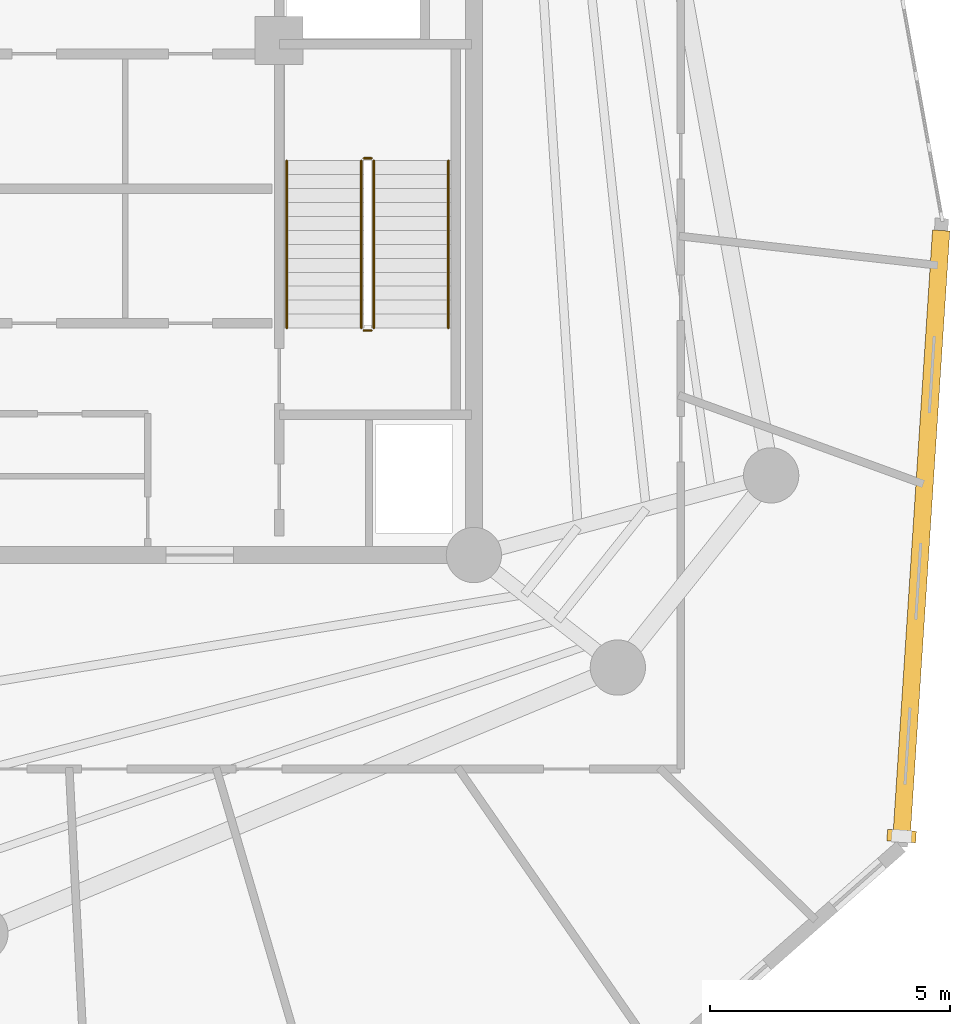
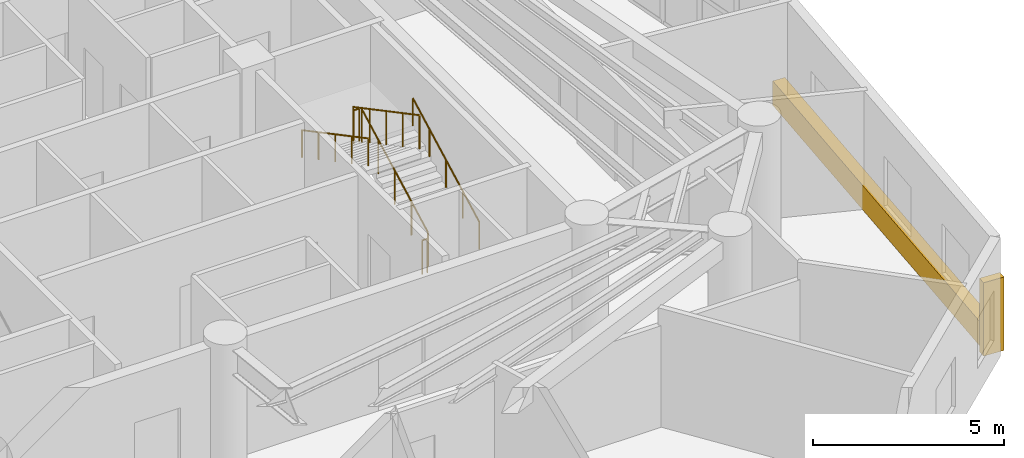
# One storey, part 11 of 12: 6 railings, 1 covering, 1 shading device.
"""IFC4 building model written with IfcOpenShell, lengths in metres."""

import ifcopenshell
import ifcopenshell.guid

model = None  # the IFC model being written
_history = None  # IfcOwnerHistory: only IFC2X3 demands one
_inside = {}  # id of a spatial element -> (the spatial element, [elements in it])
_under = {}  # id of a project, library or spatial element -> (it, [spatial elements below it])
_declared = {}  # id of a project -> (the project, [libraries it declares])
_typed = {}  # id of a type object -> (the type object, [elements of that type])
_made_of = {}  # id of a material, layer set ... -> (it, [elements and type objects made of it])


def new_model(schema):
    """Start an empty IFC model of exactly this schema.

    Asked for "IFC4X3", IfcOpenShell would pick the latest addendum, in which some entities
    have other attributes; the version numbers below select the first issue.
    IFC2X3 requires an IfcOwnerHistory on every rooted entity: one is made here for all.
    """
    global model, _history
    if schema == "IFC4X3":
        model = ifcopenshell.file(schema_version=(4, 3, 0, 0))
    else:
        model = ifcopenshell.file(schema=schema)
    _inside.clear()
    _under.clear()
    _declared.clear()
    _typed.clear()
    _made_of.clear()
    _history = None
    if model.schema == "IFC2X3":
        org = make("IfcOrganization", Name="unknown")
        user = make(
            "IfcPersonAndOrganization",
            ThePerson=make("IfcPerson", FamilyName="unknown"),
            TheOrganization=org,
        )
        app = make(
            "IfcApplication",
            ApplicationDeveloper=org,
            Version="unknown",
            ApplicationFullName="unknown",
            ApplicationIdentifier="unknown",
        )
        _history = make(
            "IfcOwnerHistory",
            OwningUser=user,
            OwningApplication=app,
            ChangeAction="ADDED",
            CreationDate=0,
        )
    return model


def make(cls, **values):
    """One entity of the class cls with the attributes given. An attribute that is None is left unset."""
    return model.create_entity(
        cls, **{name: value for name, value in values.items() if value is not None}
    )


def rooted(cls, **values):
    """An entity with a GlobalId (a new one), such as an element, a storey or a relation."""
    return make(cls, GlobalId=ifcopenshell.guid.new(), OwnerHistory=_history, **values)


def si_unit(unit_type, name, prefix=None):
    """IfcSIUnit, for example si_unit("LENGTHUNIT", "METRE", prefix="MILLI")."""
    return make("IfcSIUnit", UnitType=unit_type, Prefix=prefix, Name=name)


def assignment(units):
    """IfcUnitAssignment: the units of a project."""
    return None if units is None else make("IfcUnitAssignment", Units=units)


def point(xyz):
    """IfcCartesianPoint."""
    return None if xyz is None else make("IfcCartesianPoint", Coordinates=xyz)


def direction(xyz):
    """IfcDirection."""
    return None if xyz is None else make("IfcDirection", DirectionRatios=xyz)


def frame(location, z_axis=None, x_axis=None):
    """IfcAxis2Placement3D, a coordinate frame: its origin and axes. An axis left out is left unset."""
    return make(
        "IfcAxis2Placement3D",
        Location=point(location),
        Axis=direction(z_axis),
        RefDirection=direction(x_axis),
    )


def frame_2d(location, x_axis=None):
    """IfcAxis2Placement2D, a coordinate frame in the plane: its origin and x axis."""
    return make(
        "IfcAxis2Placement2D", Location=point(location), RefDirection=direction(x_axis)
    )


def origin():
    """The frame at (0, 0, 0) with its axes left unset."""
    return frame((0.0, 0.0, 0.0))


def origin_with_axes():
    """The frame at (0, 0, 0) with the z axis (0, 0, 1) and the x axis (1, 0, 0) written out."""
    return frame((0.0, 0.0, 0.0), z_axis=(0.0, 0.0, 1.0), x_axis=(1.0, 0.0, 0.0))


def origin_2d():
    """The frame at (0, 0) in the plane with its x axis left unset."""
    return frame_2d((0.0, 0.0))


def place(relative_to, where):
    """IfcLocalPlacement: puts the frame where relative to a parent placement (None: the world)."""
    return make(
        "IfcLocalPlacement", PlacementRelTo=relative_to, RelativePlacement=where
    )


def context(
    kind, dimensions, precision=None, world=None, true_north=None, identifier=None
):
    """IfcGeometricRepresentationContext, for example the 3D "Model" context."""
    return make(
        "IfcGeometricRepresentationContext",
        ContextIdentifier=identifier,
        ContextType=kind,
        CoordinateSpaceDimension=dimensions,
        Precision=precision,
        WorldCoordinateSystem=world,
        TrueNorth=true_north,
    )


def subcontext(parent, identifier, kind, view, scale=None):
    """IfcGeometricRepresentationSubContext, for example "Body" below "Model"."""
    return make(
        "IfcGeometricRepresentationSubContext",
        ContextIdentifier=identifier,
        ContextType=kind,
        ParentContext=parent,
        TargetScale=scale,
        TargetView=view,
    )


def project(units=None, contexts=None):
    """IfcProject with its units and contexts."""
    return rooted(
        "IfcProject",
        Name="project",
        RepresentationContexts=contexts,
        UnitsInContext=assignment(units),
    )


def spatial(cls, under=None, at=None, **own):
    """A site, building, storey or space (cls), placed at a placement, below another one or the project."""
    s = rooted(cls, ObjectPlacement=at, **own)
    if under is not None:
        _under.setdefault(under.id(), (under, []))[1].append(s)
    return s


def profile(cls, at=None, kind="AREA", **sizes):
    """A parametric profile (cls). Its sizes go by their IFC names, for example OverallWidth=200.0."""
    return make(cls, ProfileType=kind, Position=at, **sizes)


def rectangle(**sizes):
    """IfcRectangleProfileDef."""
    return profile("IfcRectangleProfileDef", **sizes)


def circle(**sizes):
    """IfcCircleProfileDef."""
    return profile("IfcCircleProfileDef", **sizes)


def extrude(swept, where, along, depth):
    """IfcExtrudedAreaSolid: the profile swept, set in the frame where, extruded along a direction by depth."""
    return make(
        "IfcExtrudedAreaSolid",
        SweptArea=swept,
        Position=where,
        ExtrudedDirection=direction(along),
        Depth=depth,
    )


def shape(context_of_items, identifier, shape_type, items):
    """IfcShapeRepresentation: the items that make up one representation, for example the "Body"."""
    return make(
        "IfcShapeRepresentation",
        ContextOfItems=context_of_items,
        RepresentationIdentifier=identifier,
        RepresentationType=shape_type,
        Items=items,
    )


def source(mapping_origin, context_of_items, identifier, shape_type, items):
    """IfcRepresentationMap: a shape defined once, which mapped items show again and again."""
    return make(
        "IfcRepresentationMap",
        MappingOrigin=mapping_origin,
        MappedRepresentation=shape(context_of_items, identifier, shape_type, items),
    )


def transform(
    local_origin,
    x_axis=None,
    y_axis=None,
    z_axis=None,
    scale=None,
    scale2=None,
    scale3=None,
    uniform=True,
):
    """IfcCartesianTransformationOperator3D, or its non-uniform kind. x_axis, y_axis, z_axis: its Axis1, 2, 3."""
    if uniform:
        return make(
            "IfcCartesianTransformationOperator3D",
            Axis1=direction(x_axis),
            Axis2=direction(y_axis),
            LocalOrigin=point(local_origin),
            Scale=scale,
            Axis3=direction(z_axis),
        )
    return make(
        "IfcCartesianTransformationOperator3DnonUniform",
        Axis1=direction(x_axis),
        Axis2=direction(y_axis),
        LocalOrigin=point(local_origin),
        Scale=scale,
        Axis3=direction(z_axis),
        Scale2=scale2,
        Scale3=scale3,
    )


def mapped(mapping_source, mapping_target):
    """IfcMappedItem: shows the shape of a source again, moved by a transform."""
    return make(
        "IfcMappedItem", MappingSource=mapping_source, MappingTarget=mapping_target
    )


def material(Name=None, Category=None):
    """IfcMaterial."""
    return make("IfcMaterial", Name=Name, Category=Category)


def layer(
    of_material, thickness, ventilated=None, Name=None, Category=None, Priority=None
):
    """IfcMaterialLayer: one layer of a wall or slab, of a material (None: an air gap)."""
    return make(
        "IfcMaterialLayer",
        Material=of_material,
        LayerThickness=thickness,
        IsVentilated=ventilated,
        Name=Name,
        Category=Category,
        Priority=Priority,
    )


def layer_set(layers, Name=None):
    """IfcMaterialLayerSet."""
    return make("IfcMaterialLayerSet", MaterialLayers=layers, LayerSetName=Name)


def made_of(thing, what):
    """Note that an element or type object is made of a material, layer set ...; save() writes the relation."""
    if what is not None:
        _made_of.setdefault(what.id(), (what, []))[1].append(thing)
    return thing


def type_object(cls, material=None, **own):
    """A type object (cls), such as IfcWallType, which elements share."""
    return made_of(rooted(cls, **own), material)


def element(
    cls,
    number,
    at=None,
    inside=None,
    cuts=None,
    type_object=None,
    material=None,
    context=None,
    identifier="Body",
    shape_type=None,
    held_by="IfcProductDefinitionShape",
    body=None,
    shapes=None,
    **own,
):
    """One element of the class cls, such as IfcWall. Its Tag is "e" and its number.

    at: its placement. inside: the storey or other place that contains it. cuts: it is an
    opening in that element (IfcRelVoidsElement). A single representation is given by context,
    identifier, shape_type and body (its items); several are given by shapes. held_by: the class
    of the entity that holds the representations. save() writes the other relations.
    """
    e = rooted(cls, Tag="e%d" % number, ObjectPlacement=at, **own)
    if body is not None:
        shapes = [shape(context, identifier, shape_type, body)]
    if shapes is not None:
        e.Representation = make(held_by, Representations=shapes)
    if inside is not None:
        _inside.setdefault(inside.id(), (inside, []))[1].append(e)
    if cuts is not None:
        rooted(
            "IfcRelVoidsElement", RelatingBuildingElement=cuts, RelatedOpeningElement=e
        )
    if type_object is not None:
        _typed.setdefault(type_object.id(), (type_object, []))[1].append(e)
    return made_of(e, material)


def aggregate(whole, parts):
    """IfcRelAggregates: a whole, such as a stair, and the parts it consists of."""
    return rooted("IfcRelAggregates", RelatingObject=whole, RelatedObjects=parts)


def save(model, path):
    """Write the relations noted so far, then the file.

    IfcRelAggregates (storeys below a building ...), IfcRelContainedInSpatialStructure (elements
    in a storey), IfcRelDefinesByType, IfcRelAssociatesMaterial and IfcRelDeclares: one each for
    every whole, place, type object, material and project.
    """
    for whole, parts in _under.values():
        aggregate(whole, parts)
    for where, things in _inside.values():
        rooted(
            "IfcRelContainedInSpatialStructure",
            RelatedElements=things,
            RelatingStructure=where,
        )
    for kind, things in _typed.values():
        rooted("IfcRelDefinesByType", RelatedObjects=things, RelatingType=kind)
    for what, things in _made_of.values():
        rooted("IfcRelAssociatesMaterial", RelatedObjects=things, RelatingMaterial=what)
    for by, libraries in _declared.values():
        rooted("IfcRelDeclares", RelatingContext=by, RelatedDefinitions=libraries)
    model.write(path)


model = new_model("IFC4")

# Units and contexts
model_context = context("Model", 3, precision=1e-05, world=origin(), true_north=direction((0.0, 1.0)))
body_context = subcontext(model_context, "Body", "Model", "MODEL_VIEW")
ifc_project = project(units=[si_unit("LENGTHUNIT", "METRE"), si_unit("AREAUNIT", "SQUARE_METRE"), si_unit("VOLUMEUNIT", "CUBIC_METRE"), si_unit("PLANEANGLEUNIT", "RADIAN"), si_unit("MASSUNIT", "GRAM", prefix="KILO")], contexts=[model_context])

# Site, building, storey
site_placement = place(None, origin())
site = spatial("IfcSite", under=ifc_project, at=site_placement, CompositionType="ELEMENT")
building_placement = place(site_placement, origin())
building = spatial("IfcBuilding", under=site, at=building_placement, Name="Karkom Vertical University and Central Library", CompositionType="ELEMENT")
storey_placement = place(building_placement, frame((0.0, 0.0, 212.89990234375)))
storey = spatial("IfcBuildingStorey", under=building, at=storey_placement, Name="L62", CompositionType="ELEMENT", Elevation=212.89990234375)

# Railings
ifc_material_1 = material(Name="Painted galvanised steel balustrade", Category="steel")
ifc_layer_1 = layer(ifc_material_1, 0.06005859375)
ifc_layer_set_1 = layer_set([ifc_layer_1], Name="Painted galvanised steel balustrade")
railing_type_1 = type_object("IfcRailingType", Name="INT-RL-GUARD1100", PredefinedType="GUARDRAIL", material=ifc_layer_set_1)
railing_1_placement = place(storey_placement, frame((35.419921875, 23.02001953125, 0.154052734375)))
element("IfcRailing", 1, at=railing_1_placement, inside=storey, type_object=railing_type_1, Name="Level 62 ST-2 stair guard 1", PredefinedType="GUARDRAIL", context=body_context, shape_type="SweptSolid", body=[
    extrude(circle(Radius=0.02392578125, at=origin_2d()), frame((0.0, 0.0, 1.076171875), z_axis=(0.0, 0.883409237303, 0.468602304143), x_axis=(-1.0, 0.0, 0.0)), (0.0, 0.0, 1.0), 3.939208984375),
    extrude(circle(Radius=0.02099609375, at=origin_2d()), origin(), (0.0, 0.0, 1.0), 1.052001953125),
    extrude(circle(Radius=0.02099609375, at=origin_2d()), frame((0.0, 0.8701171875, 0.46142578125)), (0.0, 0.0, 1.0), 1.052001953125),
    extrude(circle(Radius=0.02099609375, at=origin_2d()), frame((0.0, 1.739990234375, 0.9228515625)), (0.0, 0.0, 1.0), 1.052001953125),
    extrude(circle(Radius=0.02099609375, at=origin_2d()), frame((0.0, 2.60986328125, 1.384521484375)), (0.0, 0.0, 1.0), 1.052001953125),
    extrude(circle(Radius=0.02099609375, at=origin_2d()), frame((0.0, 3.47998046875, 1.845947265625)), (0.0, 0.0, 1.0), 1.052001953125),
])
railing_2_placement = place(storey_placement, frame((35.3701171875, 26.550048828125, 2.0)))
element("IfcRailing", 2, at=railing_2_placement, inside=storey, type_object=railing_type_1, Name="Level 62 ST-2 stair guard 2", PredefinedType="GUARDRAIL", context=body_context, shape_type="SweptSolid", body=[
    extrude(circle(Radius=0.02392578125, at=origin_2d()), frame((0.0, 0.0, 1.076171875), z_axis=(-1.0, 0.0, 0.0), x_axis=(0.0, -1.0, 0.0)), (0.0, 0.0, 1.0), 0.16015625),
    extrude(circle(Radius=0.02099609375, at=origin_2d()), origin(), (0.0, 0.0, 1.0), 1.052001953125),
    extrude(circle(Radius=0.02099609375, at=origin_2d()), frame((-0.16015625, 0.0, 0.0)), (0.0, 0.0, 1.0), 1.052001953125),
])
railing_3_placement = place(storey_placement, frame((35.159912109375, 26.5, 2.154052734375)))
element("IfcRailing", 3, at=railing_3_placement, inside=storey, type_object=railing_type_1, Name="Level 62 ST-2 stair guard 3", PredefinedType="GUARDRAIL", context=body_context, shape_type="SweptSolid", body=[
    extrude(circle(Radius=0.02392578125, at=origin_2d()), frame((0.0, 0.0, 1.076171875), z_axis=(0.0, -0.883409237303, 0.468602304143), x_axis=(1.0, 0.0, 0.0)), (0.0, 0.0, 1.0), 3.939208984375),
    extrude(circle(Radius=0.02099609375, at=origin_2d()), origin(), (0.0, 0.0, 1.0), 1.052001953125),
    extrude(circle(Radius=0.02099609375, at=origin_2d()), frame((0.0, -0.8701171875, 0.46142578125)), (0.0, 0.0, 1.0), 1.052001953125),
    extrude(circle(Radius=0.02099609375, at=origin_2d()), frame((0.0, -1.739990234375, 0.9228515625)), (0.0, 0.0, 1.0), 1.052001953125),
    extrude(circle(Radius=0.02099609375, at=origin_2d()), frame((0.0, -2.60986328125, 1.384521484375)), (0.0, 0.0, 1.0), 1.052001953125),
    extrude(circle(Radius=0.02099609375, at=origin_2d()), frame((0.0, -3.47998046875, 1.845947265625)), (0.0, 0.0, 1.0), 1.052001953125),
])
railing_4_placement = place(storey_placement, frame((35.3701171875, 22.969970703125, 0.0)))
element("IfcRailing", 4, at=railing_4_placement, inside=storey, type_object=railing_type_1, Name="Level 62 ST-2 stair guard 4", PredefinedType="GUARDRAIL", context=body_context, shape_type="SweptSolid", body=[
    extrude(circle(Radius=0.02392578125, at=origin_2d()), frame((0.0, 0.0, 1.076171875), z_axis=(-1.0, 0.0, 0.0), x_axis=(0.0, -1.0, 0.0)), (0.0, 0.0, 1.0), 0.16015625),
    extrude(circle(Radius=0.02099609375, at=origin_2d()), origin(), (0.0, 0.0, 1.0), 1.052001953125),
    extrude(circle(Radius=0.02099609375, at=origin_2d()), frame((-0.16015625, 0.0, 0.0)), (0.0, 0.0, 1.0), 1.052001953125),
])
ifc_material_2 = material(Name="Brushed stainless-steel tubular handrail", Category="steel")
ifc_layer_2 = layer(ifc_material_2, 0.048095703125)
ifc_layer_set_2 = layer_set([ifc_layer_2], Name="Brushed stainless-steel tubular handrail")
railing_type_2 = type_object("IfcRailingType", Name="INT-RL-HAND920", PredefinedType="HANDRAIL", material=ifc_layer_set_2)
railing_5_placement = place(storey_placement, frame((36.969970703125, 23.02001953125, 0.154052734375)))
element("IfcRailing", 5, at=railing_5_placement, inside=storey, type_object=railing_type_2, Name="Level 62 ST-2 stair handrail 1", PredefinedType="HANDRAIL", context=body_context, shape_type="SweptSolid", body=[
    extrude(circle(Radius=0.02392578125, at=origin_2d()), frame((0.0, 0.0, 0.8759765625), z_axis=(0.0, 0.883409237303, 0.468602304143), x_axis=(-1.0, 0.0, 0.0)), (0.0, 0.0, 1.0), 3.939208984375),
    extrude(circle(Radius=0.02099609375, at=origin_2d()), origin(), (0.0, 0.0, 1.0), 0.851806640625),
    extrude(circle(Radius=0.02099609375, at=origin_2d()), frame((0.0, 0.8701171875, 0.46142578125)), (0.0, 0.0, 1.0), 0.851806640625),
    extrude(circle(Radius=0.02099609375, at=origin_2d()), frame((0.0, 1.739990234375, 0.9228515625)), (0.0, 0.0, 1.0), 0.851806640625),
    extrude(circle(Radius=0.02099609375, at=origin_2d()), frame((0.0, 2.60986328125, 1.384521484375)), (0.0, 0.0, 1.0), 0.851806640625),
    extrude(circle(Radius=0.02099609375, at=origin_2d()), frame((0.0, 3.47998046875, 1.845947265625)), (0.0, 0.0, 1.0), 0.851806640625),
])
railing_6_placement = place(storey_placement, frame((33.610107421875, 26.5, 2.154052734375)))
element("IfcRailing", 6, at=railing_6_placement, inside=storey, type_object=railing_type_2, Name="Level 62 ST-2 stair handrail 2", PredefinedType="HANDRAIL", context=body_context, shape_type="SweptSolid", body=[
    extrude(circle(Radius=0.02392578125, at=origin_2d()), frame((0.0, 0.0, 0.8759765625), z_axis=(0.0, -0.883409237303, 0.468602304143), x_axis=(1.0, 0.0, 0.0)), (0.0, 0.0, 1.0), 3.939208984375),
    extrude(circle(Radius=0.02099609375, at=origin_2d()), origin(), (0.0, 0.0, 1.0), 0.851806640625),
    extrude(circle(Radius=0.02099609375, at=origin_2d()), frame((0.0, -0.8701171875, 0.46142578125)), (0.0, 0.0, 1.0), 0.851806640625),
    extrude(circle(Radius=0.02099609375, at=origin_2d()), frame((0.0, -1.739990234375, 0.9228515625)), (0.0, 0.0, 1.0), 0.851806640625),
    extrude(circle(Radius=0.02099609375, at=origin_2d()), frame((0.0, -2.60986328125, 1.384521484375)), (0.0, 0.0, 1.0), 0.851806640625),
    extrude(circle(Radius=0.02099609375, at=origin_2d()), frame((0.0, -3.47998046875, 1.845947265625)), (0.0, 0.0, 1.0), 0.851806640625),
])

# Shading device
ifc_material_3 = material(Name="Terracotta-clad precast concrete sun-breaker fin C45/55", Category="masonry")
shading_device_type = type_object("IfcShadingDeviceType", Name="ENV-SHD-BRISE", PredefinedType="USERDEFINED", material=ifc_material_3)
shared_shape_1 = source(origin_with_axes(), body_context, "Body", "SweptSolid", [
    extrude(rectangle(XDim=0.239990234375, YDim=0.60009765625, at=origin_2d()), origin(), (0.0, 0.0, 1.0), 2.35009765625),
])
shading_device_placement = place(storey_placement, frame((46.394287109375, 12.4541015625, 0.0), z_axis=(0.0, 0.0, 1.0), x_axis=(0.065228968998, 0.99787032304, 0.0)))
element("IfcShadingDevice", 7, at=shading_device_placement, inside=storey, type_object=shading_device_type, Name="Level 62 Brutalist Brise-Soleil Fin 05", ObjectType="BRISE SOLEIL", PredefinedType="USERDEFINED", context=body_context, shape_type="MappedRepresentation", body=[
    mapped(shared_shape_1, transform((0.0, 0.0, 0.0), scale=1.0)),
])

# Covering
ifc_material_4 = material(Name="Hand-pressed red-ochre terracotta brick slip cladding", Category="masonry")
ifc_layer_3 = layer(ifc_material_4, 0.090087890625)
ifc_layer_set_3 = layer_set([ifc_layer_3], Name="Hand-pressed red-ochre terracotta brick slip cladding")
covering_type = type_object("IfcCoveringType", Name="ENV-COV-CLAD", PredefinedType="CLADDING", material=ifc_layer_set_3)
shared_shape_2 = source(origin_with_axes(), body_context, "Body", "SweptSolid", [
    extrude(rectangle(XDim=12.592041015625, YDim=0.360107421875, at=origin_2d()), origin(), (0.0, 0.0, 1.0), 0.780029296875),
])
covering_placement = place(storey_placement, frame((46.806884765625, 18.7666015625, 0.0), z_axis=(0.0, 0.0, 1.0), x_axis=(0.065228968998, 0.99787032304, 0.0)))
element("IfcCovering", 8, at=covering_placement, inside=storey, type_object=covering_type, Name="Level 62 Terracotta Spandrel Cladding 05", PredefinedType="CLADDING", context=body_context, shape_type="MappedRepresentation", body=[
    mapped(shared_shape_2, transform((0.0, 0.0, 0.0), scale=1.0)),
])

save(model, "model.ifc")
